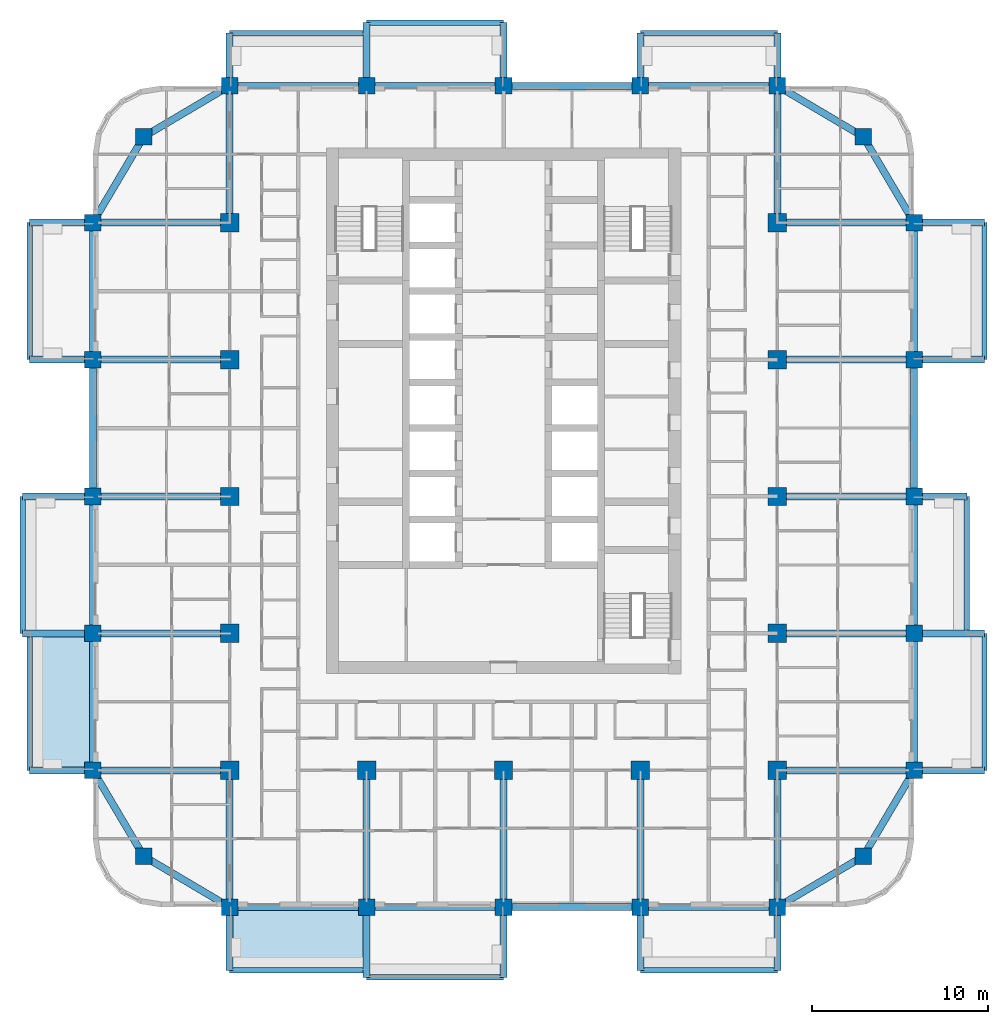
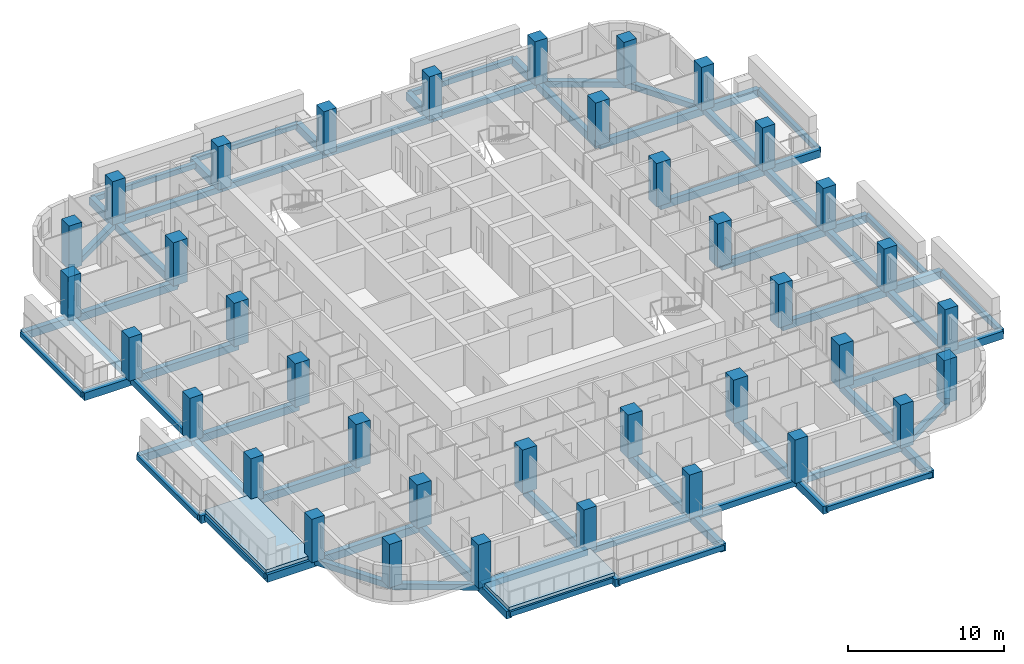
# One storey, part 1 of 18: 73 beams, 37 columns, 2 slabs.
"""IFC4 building model written with IfcOpenShell, lengths in metres."""

from ifc_helpers import new_model, si_unit, direction, frame, origin, origin_2d, place, context, subcontext, project, spatial, polyline, rectangle, outline, extrude, material, layer, layer_set, material_profile, profile_set, type_object, element, save


model = new_model("IFC4")

# Units and contexts
model_context = context("Model", 3, precision=1e-05, world=origin(), true_north=direction((0.0, 1.0)))
body_context = subcontext(model_context, "Body", "Model", "MODEL_VIEW")
ifc_project = project(units=[si_unit("LENGTHUNIT", "METRE"), si_unit("AREAUNIT", "SQUARE_METRE"), si_unit("VOLUMEUNIT", "CUBIC_METRE"), si_unit("PLANEANGLEUNIT", "RADIAN"), si_unit("MASSUNIT", "GRAM", prefix="KILO")], contexts=[model_context])

# Site, building, storey
site_placement = place(None, origin())
site = spatial("IfcSite", under=ifc_project, at=site_placement, CompositionType="ELEMENT")
building_placement = place(site_placement, origin())
building = spatial("IfcBuilding", under=site, at=building_placement, Name="Ludao Terraces", CompositionType="ELEMENT")
storey_placement = place(building_placement, frame((0.0, 0.0, 61.39990234375)))
storey = spatial("IfcBuildingStorey", under=building, at=storey_placement, Name="L16", CompositionType="ELEMENT", Elevation=61.39990234375)

# Columns
ifc_material_1 = material(Name="Concrete C55", Category="concrete")
ifc_material_profile_1 = material_profile(ifc_material_1, rectangle(XDim=1.050048828125, YDim=1.050048828125, at=origin_2d()), Name="1050 X 1050")
ifc_profile_set_1 = profile_set([ifc_material_profile_1], Name="Concrete C55")
column_type_1 = type_object("IfcColumnType", Name="RC column 1050x1050 C55", PredefinedType="COLUMN", material=ifc_profile_set_1)
for number, where, z_axis, x_axis, name in (
    (1, (69.39990234375, 49.39990234375, -0.25), (0.0, 0.0, 1.0), (1.0, 0.0, 0.0), "Column L16 S0078x0078"),
    (2, (69.39990234375, 57.199951171875, -0.25), (0.0, 0.0, 1.0), (1.0, 0.0, 0.0), "Column L16 S0078x0156"),
    (3, (69.39990234375, 65.0, -0.25), (0.0, 0.0, 1.0), (1.0, 0.0, 0.0), "Column L16 S0078x0234"),
    (4, (69.39990234375, 72.800048828125, -0.25), (0.0, 0.0, 1.0), (1.0, 0.0, 0.0), "Column L16 S0078x0312"),
    (5, (69.39990234375, 80.60009765625, -0.25), (0.0, 0.0, 1.0), (1.0, 0.0, 0.0), "Column L16 S0078x0390"),
    (6, (77.199951171875, 49.39990234375, -0.25), (0.0, 0.0, 1.0), (1.0, 0.0, 0.0), "Column L16 S0156x0078"),
    (7, (85.0, 49.39990234375, -0.25), (0.0, 0.0, 1.0), (1.0, 0.0, 0.0), "Column L16 S0234x0078"),
    (8, (92.800048828125, 49.39990234375, -0.25), (0.0, 0.0, 1.0), (1.0, 0.0, 0.0), "Column L16 S0312x0078"),
    (9, (100.60009765625, 49.39990234375, -0.25), (0.0, 0.0, 1.0), (1.0, 0.0, 0.0), "Column L16 S0390x0078"),
    (10, (100.60009765625, 57.199951171875, -0.25), (0.0, 0.0, 1.0), (1.0, 0.0, 0.0), "Column L16 S0390x0156"),
    (11, (100.60009765625, 65.0, -0.25), (0.0, 0.0, 1.0), (1.0, 0.0, 0.0), "Column L16 S0390x0234"),
    (12, (100.60009765625, 72.800048828125, -0.25), (0.0, 0.0, 1.0), (1.0, 0.0, 0.0), "Column L16 S0390x0312"),
    (13, (100.60009765625, 80.60009765625, -0.25), (0.0, 0.0, 1.0), (1.0, 0.0, 0.0), "Column L16 S0390x0390"),
):
    element("IfcColumn", number, at=place(storey_placement, frame(where, z_axis=z_axis, x_axis=x_axis)), inside=storey, type_object=column_type_1, Name=name, PredefinedType="COLUMN", context=body_context, shape_type="SweptSolid", body=[
        extrude(rectangle(XDim=1.050048828125, YDim=1.050048828125, at=origin_2d()), origin(), (0.0, 0.0, 1.0), 3.400146484375),
    ])
ifc_material_profile_2 = material_profile(ifc_material_1, rectangle(XDim=0.949951171875, YDim=0.949951171875, at=origin_2d()), Name="950 X 950")
ifc_profile_set_2 = profile_set([ifc_material_profile_2], Name="Concrete C55")
column_type_2 = type_object("IfcColumnType", Name="RC column 950x950 C55", PredefinedType="COLUMN", material=ifc_profile_set_2)
for number, where, z_axis, x_axis, name in (
    (14, (64.5, 44.5, -0.25), (0.0, 0.0, 1.0), (1.0, 0.0, 0.0), "Column L16 C0029x0029"),
    (15, (105.5, 44.5, -0.25), (0.0, 0.0, 1.0), (1.0, 0.0, 0.0), "Column L16 C0439x0029"),
    (16, (64.5, 85.5, -0.25), (0.0, 0.0, 1.0), (1.0, 0.0, 0.0), "Column L16 C0029x0439"),
    (17, (105.5, 85.5, -0.25), (0.0, 0.0, 1.0), (1.0, 0.0, 0.0), "Column L16 C0439x0439"),
    (18, (61.60009765625, 49.39990234375, -0.25), (0.0, 0.0, 1.0), (1.0, 0.0, 0.0), "Column L16 F0000x0078"),
    (19, (108.39990234375, 49.39990234375, -0.25), (0.0, 0.0, 1.0), (1.0, 0.0, 0.0), "Column L16 F0468x0078"),
    (20, (69.39990234375, 41.60009765625, -0.25), (0.0, 0.0, 1.0), (1.0, 0.0, 0.0), "Column L16 F0078x0000"),
    (21, (69.39990234375, 88.39990234375, -0.25), (0.0, 0.0, 1.0), (1.0, 0.0, 0.0), "Column L16 F0078x0468"),
    (22, (61.60009765625, 57.199951171875, -0.25), (0.0, 0.0, 1.0), (1.0, 0.0, 0.0), "Column L16 F0000x0156"),
    (23, (108.39990234375, 57.199951171875, -0.25), (0.0, 0.0, 1.0), (1.0, 0.0, 0.0), "Column L16 F0468x0156"),
    (24, (77.199951171875, 41.60009765625, -0.25), (0.0, 0.0, 1.0), (1.0, 0.0, 0.0), "Column L16 F0156x0000"),
    (25, (77.199951171875, 88.39990234375, -0.25), (0.0, 0.0, 1.0), (1.0, 0.0, 0.0), "Column L16 F0156x0468"),
    (26, (61.60009765625, 65.0, -0.25), (0.0, 0.0, 1.0), (1.0, 0.0, 0.0), "Column L16 F0000x0234"),
    (27, (108.39990234375, 65.0, -0.25), (0.0, 0.0, 1.0), (1.0, 0.0, 0.0), "Column L16 F0468x0234"),
    (28, (85.0, 41.60009765625, -0.25), (0.0, 0.0, 1.0), (1.0, 0.0, 0.0), "Column L16 F0234x0000"),
    (29, (85.0, 88.39990234375, -0.25), (0.0, 0.0, 1.0), (1.0, 0.0, 0.0), "Column L16 F0234x0468"),
    (30, (61.60009765625, 72.800048828125, -0.25), (0.0, 0.0, 1.0), (1.0, 0.0, 0.0), "Column L16 F0000x0312"),
    (31, (108.39990234375, 72.800048828125, -0.25), (0.0, 0.0, 1.0), (1.0, 0.0, 0.0), "Column L16 F0468x0312"),
    (32, (92.800048828125, 41.60009765625, -0.25), (0.0, 0.0, 1.0), (1.0, 0.0, 0.0), "Column L16 F0312x0000"),
    (33, (92.800048828125, 88.39990234375, -0.25), (0.0, 0.0, 1.0), (1.0, 0.0, 0.0), "Column L16 F0312x0468"),
    (34, (61.60009765625, 80.60009765625, -0.25), (0.0, 0.0, 1.0), (1.0, 0.0, 0.0), "Column L16 F0000x0390"),
    (35, (108.39990234375, 80.60009765625, -0.25), (0.0, 0.0, 1.0), (1.0, 0.0, 0.0), "Column L16 F0468x0390"),
    (36, (100.60009765625, 41.60009765625, -0.25), (0.0, 0.0, 1.0), (1.0, 0.0, 0.0), "Column L16 F0390x0000"),
    (37, (100.60009765625, 88.39990234375, -0.25), (0.0, 0.0, 1.0), (1.0, 0.0, 0.0), "Column L16 F0390x0468"),
):
    element("IfcColumn", number, at=place(storey_placement, frame(where, z_axis=z_axis, x_axis=x_axis)), inside=storey, type_object=column_type_2, Name=name, PredefinedType="COLUMN", context=body_context, shape_type="SweptSolid", body=[
        extrude(rectangle(XDim=0.949951171875, YDim=0.949951171875, at=origin_2d()), origin(), (0.0, 0.0, 1.0), 3.400146484375),
    ])

# Beams
ifc_material_2 = material(Name="Concrete C40", Category="concrete")
ifc_material_profile_3 = material_profile(ifc_material_2, rectangle(XDim=0.300048828125, YDim=0.39990234375, at=origin_2d()), Name="300 X 400")
ifc_profile_set_3 = profile_set([ifc_material_profile_3], Name="Concrete C40")
beam_type_1 = type_object("IfcBeamType", Name="RC beam 300x400 C40", PredefinedType="BEAM", material=ifc_profile_set_3)
for number, where, z_axis, x_axis, name in (
    (38, (69.39990234375, 38.0, -0.449951171875), (1.0, 0.0, 0.0), (0.0, 1.0, 0.0), "Balcony edge beam L16 S1"),
    (39, (77.199951171875, 37.60009765625, -0.449951171875), (1.0, 0.0, 0.0), (0.0, 1.0, 0.0), "Balcony edge beam L16 S2"),
    (40, (92.800048828125, 38.0, -0.449951171875), (1.0, 0.0, 0.0), (0.0, 1.0, 0.0), "Balcony edge beam L16 S4"),
    (41, (112.39990234375, 49.39990234375, -0.449951171875), (0.0, 1.0, 0.0), (-1.0, 0.0, 0.0), "Balcony edge beam L16 E1"),
    (42, (111.39990234375, 57.199951171875, -0.449951171875), (0.0, 1.0, 0.0), (-1.0, 0.0, 0.0), "Balcony edge beam L16 E2"),
    (43, (112.39990234375, 72.800048828125, -0.449951171875), (0.0, 1.0, 0.0), (-1.0, 0.0, 0.0), "Balcony edge beam L16 E4"),
    (44, (69.39990234375, 91.39990234375, -0.449951171875), (1.0, 0.0, 0.0), (0.0, 1.0, 0.0), "Balcony edge beam L16 N1"),
    (45, (77.199951171875, 92.0, -0.449951171875), (1.0, 0.0, 0.0), (0.0, 1.0, 0.0), "Balcony edge beam L16 N2"),
    (46, (92.800048828125, 91.39990234375, -0.449951171875), (1.0, 0.0, 0.0), (0.0, 1.0, 0.0), "Balcony edge beam L16 N4"),
    (47, (58.0, 49.39990234375, -0.449951171875), (0.0, 1.0, 0.0), (-1.0, 0.0, 0.0), "Balcony edge beam L16 W1"),
    (48, (57.60009765625, 57.199951171875, -0.449951171875), (0.0, 1.0, 0.0), (-1.0, 0.0, 0.0), "Balcony edge beam L16 W2"),
    (49, (58.0, 72.800048828125, -0.449951171875), (0.0, 1.0, 0.0), (-1.0, 0.0, 0.0), "Balcony edge beam L16 W4"),
):
    element("IfcBeam", number, at=place(storey_placement, frame(where, z_axis=z_axis, x_axis=x_axis)), inside=storey, type_object=beam_type_1, Name=name, PredefinedType="BEAM", context=body_context, shape_type="SweptSolid", body=[
        extrude(rectangle(XDim=0.300048828125, YDim=0.39990234375, at=origin_2d()), origin(), (0.0, 0.0, 1.0), 7.800048828125),
    ])
ifc_material_profile_4 = material_profile(ifc_material_2, rectangle(XDim=0.39990234375, YDim=0.449951171875, at=origin_2d()), Name="400 X 450")
ifc_profile_set_4 = profile_set([ifc_material_profile_4], Name="Concrete C40")
beam_type_2 = type_object("IfcBeamType", Name="RC beam 400x450 C40", PredefinedType="BEAM", material=ifc_profile_set_4)
beam_1_placement = place(storey_placement, frame((64.5, 44.5, -0.474853515625), z_axis=(0.860579751256, -0.509315709288, 0.0), x_axis=(0.509315709288, 0.860579751256, 0.0)))
element("IfcBeam", 50, at=beam_1_placement, inside=storey, type_object=beam_type_2, Name="Spandrel beam L16 S1", PredefinedType="BEAM", context=body_context, shape_type="SweptSolid", body=[
    extrude(rectangle(XDim=0.39990234375, YDim=0.449951171875, at=origin_2d()), origin(), (0.0, 0.0, 1.0), 5.693603515625),
])
for number, where, z_axis, x_axis, name in (
    (51, (69.39990234375, 41.60009765625, -0.474853515625), (1.0, 0.0, 0.0), (0.0, 1.0, 0.0), "Spandrel beam L16 S2"),
    (52, (77.199951171875, 41.60009765625, -0.474853515625), (1.0, 0.0, 0.0), (0.0, 1.0, 0.0), "Spandrel beam L16 S3"),
    (53, (85.0, 41.60009765625, -0.474853515625), (1.0, 0.0, 0.0), (0.0, 1.0, 0.0), "Spandrel beam L16 S4"),
    (54, (92.800048828125, 41.60009765625, -0.474853515625), (1.0, 0.0, 0.0), (0.0, 1.0, 0.0), "Spandrel beam L16 S5"),
):
    element("IfcBeam", number, at=place(storey_placement, frame(where, z_axis=z_axis, x_axis=x_axis)), inside=storey, type_object=beam_type_2, Name=name, PredefinedType="BEAM", context=body_context, shape_type="SweptSolid", body=[
        extrude(rectangle(XDim=0.39990234375, YDim=0.449951171875, at=origin_2d()), origin(), (0.0, 0.0, 1.0), 7.800048828125),
    ])
for number, where, z_axis, x_axis, name in (
    (55, (100.60009765625, 41.60009765625, -0.474853515625), (0.860579751256, 0.509315709288, 0.0), (-0.509315709288, 0.860579751256, 0.0), "Spandrel beam L16 S6"),
    (56, (64.5, 85.5, -0.474853515625), (0.860579751256, 0.509315709288, 0.0), (-0.509315709288, 0.860579751256, 0.0), "Spandrel beam L16 N7"),
):
    element("IfcBeam", number, at=place(storey_placement, frame(where, z_axis=z_axis, x_axis=x_axis)), inside=storey, type_object=beam_type_2, Name=name, PredefinedType="BEAM", context=body_context, shape_type="SweptSolid", body=[
        extrude(rectangle(XDim=0.39990234375, YDim=0.449951171875, at=origin_2d()), origin(), (0.0, 0.0, 1.0), 5.693603515625),
    ])
for number, where, z_axis, x_axis, name in (
    (57, (69.39990234375, 88.39990234375, -0.474853515625), (1.0, 0.0, 0.0), (0.0, 1.0, 0.0), "Spandrel beam L16 N8"),
    (58, (77.199951171875, 88.39990234375, -0.474853515625), (1.0, 0.0, 0.0), (0.0, 1.0, 0.0), "Spandrel beam L16 N9"),
    (59, (85.0, 88.39990234375, -0.474853515625), (1.0, 0.0, 0.0), (0.0, 1.0, 0.0), "Spandrel beam L16 N10"),
    (60, (92.800048828125, 88.39990234375, -0.474853515625), (1.0, 0.0, 0.0), (0.0, 1.0, 0.0), "Spandrel beam L16 N11"),
):
    element("IfcBeam", number, at=place(storey_placement, frame(where, z_axis=z_axis, x_axis=x_axis)), inside=storey, type_object=beam_type_2, Name=name, PredefinedType="BEAM", context=body_context, shape_type="SweptSolid", body=[
        extrude(rectangle(XDim=0.39990234375, YDim=0.449951171875, at=origin_2d()), origin(), (0.0, 0.0, 1.0), 7.800048828125),
    ])
for number, where, z_axis, x_axis, name in (
    (61, (100.60009765625, 88.39990234375, -0.474853515625), (0.860579751256, -0.509315709288, 0.0), (0.509315709288, 0.860579751256, 0.0), "Spandrel beam L16 N12"),
    (62, (64.5, 44.5, -0.474853515625), (-0.509315709288, 0.860579751256, 0.0), (-0.860579751256, -0.509315709288, 0.0), "Spandrel beam L16 W13"),
):
    element("IfcBeam", number, at=place(storey_placement, frame(where, z_axis=z_axis, x_axis=x_axis)), inside=storey, type_object=beam_type_2, Name=name, PredefinedType="BEAM", context=body_context, shape_type="SweptSolid", body=[
        extrude(rectangle(XDim=0.39990234375, YDim=0.449951171875, at=origin_2d()), origin(), (0.0, 0.0, 1.0), 5.693603515625),
    ])
for number, where, z_axis, x_axis, name in (
    (63, (61.60009765625, 49.39990234375, -0.474853515625), (0.0, 1.0, 0.0), (-1.0, 0.0, 0.0), "Spandrel beam L16 W14"),
    (64, (61.60009765625, 57.199951171875, -0.474853515625), (0.0, 1.0, 0.0), (-1.0, 0.0, 0.0), "Spandrel beam L16 W15"),
    (65, (61.60009765625, 65.0, -0.474853515625), (0.0, 1.0, 0.0), (-1.0, 0.0, 0.0), "Spandrel beam L16 W16"),
    (66, (61.60009765625, 72.800048828125, -0.474853515625), (0.0, 1.0, 0.0), (-1.0, 0.0, 0.0), "Spandrel beam L16 W17"),
):
    element("IfcBeam", number, at=place(storey_placement, frame(where, z_axis=z_axis, x_axis=x_axis)), inside=storey, type_object=beam_type_2, Name=name, PredefinedType="BEAM", context=body_context, shape_type="SweptSolid", body=[
        extrude(rectangle(XDim=0.39990234375, YDim=0.449951171875, at=origin_2d()), origin(), (0.0, 0.0, 1.0), 7.800048828125),
    ])
for number, where, z_axis, x_axis, name in (
    (67, (61.60009765625, 80.60009765625, -0.474853515625), (0.509315709288, 0.860579751256, 0.0), (-0.860579751256, 0.509315709288, 0.0), "Spandrel beam L16 W18"),
    (68, (105.5, 44.5, -0.474853515625), (0.509315709288, 0.860579751256, 0.0), (-0.860579751256, 0.509315709288, 0.0), "Spandrel beam L16 E19"),
):
    element("IfcBeam", number, at=place(storey_placement, frame(where, z_axis=z_axis, x_axis=x_axis)), inside=storey, type_object=beam_type_2, Name=name, PredefinedType="BEAM", context=body_context, shape_type="SweptSolid", body=[
        extrude(rectangle(XDim=0.39990234375, YDim=0.449951171875, at=origin_2d()), origin(), (0.0, 0.0, 1.0), 5.693603515625),
    ])
for number, where, z_axis, x_axis, name in (
    (69, (108.39990234375, 49.39990234375, -0.474853515625), (0.0, 1.0, 0.0), (-1.0, 0.0, 0.0), "Spandrel beam L16 E20"),
    (70, (108.39990234375, 57.199951171875, -0.474853515625), (0.0, 1.0, 0.0), (-1.0, 0.0, 0.0), "Spandrel beam L16 E21"),
    (71, (108.39990234375, 65.0, -0.474853515625), (0.0, 1.0, 0.0), (-1.0, 0.0, 0.0), "Spandrel beam L16 E22"),
    (72, (108.39990234375, 72.800048828125, -0.474853515625), (0.0, 1.0, 0.0), (-1.0, 0.0, 0.0), "Spandrel beam L16 E23"),
):
    element("IfcBeam", number, at=place(storey_placement, frame(where, z_axis=z_axis, x_axis=x_axis)), inside=storey, type_object=beam_type_2, Name=name, PredefinedType="BEAM", context=body_context, shape_type="SweptSolid", body=[
        extrude(rectangle(XDim=0.39990234375, YDim=0.449951171875, at=origin_2d()), origin(), (0.0, 0.0, 1.0), 7.800048828125),
    ])
beam_2_placement = place(storey_placement, frame((108.39990234375, 80.60009765625, -0.474853515625), z_axis=(-0.509315709288, 0.860579751256, 0.0), x_axis=(-0.860579751256, -0.509315709288, 0.0)))
element("IfcBeam", 73, at=beam_2_placement, inside=storey, type_object=beam_type_2, Name="Spandrel beam L16 E24", PredefinedType="BEAM", context=body_context, shape_type="SweptSolid", body=[
    extrude(rectangle(XDim=0.39990234375, YDim=0.449951171875, at=origin_2d()), origin(), (0.0, 0.0, 1.0), 5.693603515625),
])
ifc_material_profile_5 = material_profile(ifc_material_2, rectangle(XDim=0.39990234375, YDim=0.60009765625, at=origin_2d()), Name="400 X 600")
ifc_profile_set_5 = profile_set([ifc_material_profile_5], Name="Concrete C40")
beam_type_3 = type_object("IfcBeamType", Name="RC beam 400x600 C40", PredefinedType="BEAM", material=ifc_profile_set_5)
beam_3_placement = place(storey_placement, frame((100.60009765625, 49.39990234375, -0.5498046875), z_axis=(1.0, 0.0, 0.0), x_axis=(0.0, 1.0, 0.0)))
element("IfcBeam", 74, at=beam_3_placement, inside=storey, type_object=beam_type_3, Name="Balcony beam L16 E494", PredefinedType="BEAM", context=body_context, shape_type="SweptSolid", body=[
    extrude(rectangle(XDim=0.39990234375, YDim=0.60009765625, at=origin_2d()), origin(), (0.0, 0.0, 1.0), 7.7998046875),
])
beam_4_placement = place(storey_placement, frame((108.39990234375, 49.39990234375, -0.5498046875), z_axis=(1.0, 0.0, 0.0), x_axis=(0.0, 1.0, 0.0)))
element("IfcBeam", 75, at=beam_4_placement, inside=storey, type_object=beam_type_3, Name="Balcony beam L16 E494", PredefinedType="BEAM", context=body_context, shape_type="SweptSolid", body=[
    extrude(rectangle(XDim=0.39990234375, YDim=0.60009765625, at=origin_2d()), origin(), (0.0, 0.0, 1.0), 4.0),
])
beam_5_placement = place(storey_placement, frame((100.60009765625, 57.199951171875, -0.5498046875), z_axis=(1.0, 0.0, 0.0), x_axis=(0.0, 1.0, 0.0)))
element("IfcBeam", 76, at=beam_5_placement, inside=storey, type_object=beam_type_3, Name="Balcony beam L16 E572", PredefinedType="BEAM", context=body_context, shape_type="SweptSolid", body=[
    extrude(rectangle(XDim=0.39990234375, YDim=0.60009765625, at=origin_2d()), origin(), (0.0, 0.0, 1.0), 7.7998046875),
])
beam_6_placement = place(storey_placement, frame((108.39990234375, 57.199951171875, -0.5498046875), z_axis=(1.0, 0.0, 0.0), x_axis=(0.0, 1.0, 0.0)))
element("IfcBeam", 77, at=beam_6_placement, inside=storey, type_object=beam_type_3, Name="Balcony beam L16 E572", PredefinedType="BEAM", context=body_context, shape_type="SweptSolid", body=[
    extrude(rectangle(XDim=0.39990234375, YDim=0.60009765625, at=origin_2d()), origin(), (0.0, 0.0, 1.0), 4.0),
])
beam_7_placement = place(storey_placement, frame((100.60009765625, 65.0, -0.5498046875), z_axis=(1.0, 0.0, 0.0), x_axis=(0.0, 1.0, 0.0)))
element("IfcBeam", 78, at=beam_7_placement, inside=storey, type_object=beam_type_3, Name="Balcony beam L16 E650", PredefinedType="BEAM", context=body_context, shape_type="SweptSolid", body=[
    extrude(rectangle(XDim=0.39990234375, YDim=0.60009765625, at=origin_2d()), origin(), (0.0, 0.0, 1.0), 7.7998046875),
])
beam_8_placement = place(storey_placement, frame((108.39990234375, 65.0, -0.5498046875), z_axis=(1.0, 0.0, 0.0), x_axis=(0.0, 1.0, 0.0)))
element("IfcBeam", 79, at=beam_8_placement, inside=storey, type_object=beam_type_3, Name="Balcony beam L16 E650", PredefinedType="BEAM", context=body_context, shape_type="SweptSolid", body=[
    extrude(rectangle(XDim=0.39990234375, YDim=0.60009765625, at=origin_2d()), origin(), (0.0, 0.0, 1.0), 3.0),
])
beam_9_placement = place(storey_placement, frame((100.60009765625, 72.800048828125, -0.5498046875), z_axis=(1.0, 0.0, 0.0), x_axis=(0.0, 1.0, 0.0)))
element("IfcBeam", 80, at=beam_9_placement, inside=storey, type_object=beam_type_3, Name="Balcony beam L16 E728", PredefinedType="BEAM", context=body_context, shape_type="SweptSolid", body=[
    extrude(rectangle(XDim=0.39990234375, YDim=0.60009765625, at=origin_2d()), origin(), (0.0, 0.0, 1.0), 7.7998046875),
])
beam_10_placement = place(storey_placement, frame((108.39990234375, 72.800048828125, -0.5498046875), z_axis=(1.0, 0.0, 0.0), x_axis=(0.0, 1.0, 0.0)))
element("IfcBeam", 81, at=beam_10_placement, inside=storey, type_object=beam_type_3, Name="Balcony beam L16 E728", PredefinedType="BEAM", context=body_context, shape_type="SweptSolid", body=[
    extrude(rectangle(XDim=0.39990234375, YDim=0.60009765625, at=origin_2d()), origin(), (0.0, 0.0, 1.0), 4.0),
])
beam_11_placement = place(storey_placement, frame((100.60009765625, 80.60009765625, -0.5498046875), z_axis=(1.0, 0.0, 0.0), x_axis=(0.0, 1.0, 0.0)))
element("IfcBeam", 82, at=beam_11_placement, inside=storey, type_object=beam_type_3, Name="Balcony beam L16 E806", PredefinedType="BEAM", context=body_context, shape_type="SweptSolid", body=[
    extrude(rectangle(XDim=0.39990234375, YDim=0.60009765625, at=origin_2d()), origin(), (0.0, 0.0, 1.0), 7.7998046875),
])
beam_12_placement = place(storey_placement, frame((108.39990234375, 80.60009765625, -0.5498046875), z_axis=(1.0, 0.0, 0.0), x_axis=(0.0, 1.0, 0.0)))
element("IfcBeam", 83, at=beam_12_placement, inside=storey, type_object=beam_type_3, Name="Balcony beam L16 E806", PredefinedType="BEAM", context=body_context, shape_type="SweptSolid", body=[
    extrude(rectangle(XDim=0.39990234375, YDim=0.60009765625, at=origin_2d()), origin(), (0.0, 0.0, 1.0), 4.0),
])
beam_13_placement = place(storey_placement, frame((100.60009765625, 80.60009765625, -0.5498046875), z_axis=(0.0, 1.0, 0.0), x_axis=(-1.0, 0.0, 0.0)))
element("IfcBeam", 84, at=beam_13_placement, inside=storey, type_object=beam_type_3, Name="Balcony beam L16 N1006", PredefinedType="BEAM", context=body_context, shape_type="SweptSolid", body=[
    extrude(rectangle(XDim=0.39990234375, YDim=0.60009765625, at=origin_2d()), origin(), (0.0, 0.0, 1.0), 7.7998046875),
])
beam_14_placement = place(storey_placement, frame((100.60009765625, 88.39990234375, -0.5498046875), z_axis=(0.0, 1.0, 0.0), x_axis=(-1.0, 0.0, 0.0)))
element("IfcBeam", 85, at=beam_14_placement, inside=storey, type_object=beam_type_3, Name="Balcony beam L16 N1006", PredefinedType="BEAM", context=body_context, shape_type="SweptSolid", body=[
    extrude(rectangle(XDim=0.39990234375, YDim=0.60009765625, at=origin_2d()), origin(), (0.0, 0.0, 1.0), 3.0),
])
beam_15_placement = place(storey_placement, frame((69.39990234375, 80.60009765625, -0.5498046875), z_axis=(0.0, 1.0, 0.0), x_axis=(-1.0, 0.0, 0.0)))
element("IfcBeam", 86, at=beam_15_placement, inside=storey, type_object=beam_type_3, Name="Balcony beam L16 N694", PredefinedType="BEAM", context=body_context, shape_type="SweptSolid", body=[
    extrude(rectangle(XDim=0.39990234375, YDim=0.60009765625, at=origin_2d()), origin(), (0.0, 0.0, 1.0), 7.7998046875),
])
beam_16_placement = place(storey_placement, frame((69.39990234375, 88.39990234375, -0.5498046875), z_axis=(0.0, 1.0, 0.0), x_axis=(-1.0, 0.0, 0.0)))
element("IfcBeam", 87, at=beam_16_placement, inside=storey, type_object=beam_type_3, Name="Balcony beam L16 N694", PredefinedType="BEAM", context=body_context, shape_type="SweptSolid", body=[
    extrude(rectangle(XDim=0.39990234375, YDim=0.60009765625, at=origin_2d()), origin(), (0.0, 0.0, 1.0), 3.0),
])
for number, where, z_axis, x_axis, name in (
    (88, (77.199951171875, 88.39990234375, -0.5498046875), (0.0, 1.0, 0.0), (-1.0, 0.0, 0.0), "Balcony beam L16 N772"),
    (89, (85.0, 88.39990234375, -0.5498046875), (0.0, 1.0, 0.0), (-1.0, 0.0, 0.0), "Balcony beam L16 N850"),
):
    element("IfcBeam", number, at=place(storey_placement, frame(where, z_axis=z_axis, x_axis=x_axis)), inside=storey, type_object=beam_type_3, Name=name, PredefinedType="BEAM", context=body_context, shape_type="SweptSolid", body=[
        extrude(rectangle(XDim=0.39990234375, YDim=0.60009765625, at=origin_2d()), origin(), (0.0, 0.0, 1.0), 3.60009765625),
    ])
beam_17_placement = place(storey_placement, frame((92.800048828125, 88.39990234375, -0.5498046875), z_axis=(0.0, 1.0, 0.0), x_axis=(-1.0, 0.0, 0.0)))
element("IfcBeam", 90, at=beam_17_placement, inside=storey, type_object=beam_type_3, Name="Balcony beam L16 N928", PredefinedType="BEAM", context=body_context, shape_type="SweptSolid", body=[
    extrude(rectangle(XDim=0.39990234375, YDim=0.60009765625, at=origin_2d()), origin(), (0.0, 0.0, 1.0), 3.0),
])
beam_18_placement = place(storey_placement, frame((100.60009765625, 49.39990234375, -0.5498046875), z_axis=(0.0, -1.0, 0.0), x_axis=(1.0, 0.0, 0.0)))
element("IfcBeam", 91, at=beam_18_placement, inside=storey, type_object=beam_type_3, Name="Balcony beam L16 S1006", PredefinedType="BEAM", context=body_context, shape_type="SweptSolid", body=[
    extrude(rectangle(XDim=0.39990234375, YDim=0.60009765625, at=origin_2d()), origin(), (0.0, 0.0, 1.0), 7.7998046875),
])
beam_19_placement = place(storey_placement, frame((100.60009765625, 41.60009765625, -0.5498046875), z_axis=(0.0, -1.0, 0.0), x_axis=(1.0, 0.0, 0.0)))
element("IfcBeam", 92, at=beam_19_placement, inside=storey, type_object=beam_type_3, Name="Balcony beam L16 S1006", PredefinedType="BEAM", context=body_context, shape_type="SweptSolid", body=[
    extrude(rectangle(XDim=0.39990234375, YDim=0.60009765625, at=origin_2d()), origin(), (0.0, 0.0, 1.0), 3.60009765625),
])
beam_20_placement = place(storey_placement, frame((69.39990234375, 49.39990234375, -0.5498046875), z_axis=(0.0, -1.0, 0.0), x_axis=(1.0, 0.0, 0.0)))
element("IfcBeam", 93, at=beam_20_placement, inside=storey, type_object=beam_type_3, Name="Balcony beam L16 S694", PredefinedType="BEAM", context=body_context, shape_type="SweptSolid", body=[
    extrude(rectangle(XDim=0.39990234375, YDim=0.60009765625, at=origin_2d()), origin(), (0.0, 0.0, 1.0), 7.7998046875),
])
beam_21_placement = place(storey_placement, frame((69.39990234375, 41.60009765625, -0.5498046875), z_axis=(0.0, -1.0, 0.0), x_axis=(1.0, 0.0, 0.0)))
element("IfcBeam", 94, at=beam_21_placement, inside=storey, type_object=beam_type_3, Name="Balcony beam L16 S694", PredefinedType="BEAM", context=body_context, shape_type="SweptSolid", body=[
    extrude(rectangle(XDim=0.39990234375, YDim=0.60009765625, at=origin_2d()), origin(), (0.0, 0.0, 1.0), 3.60009765625),
])
beam_22_placement = place(storey_placement, frame((77.199951171875, 49.39990234375, -0.5498046875), z_axis=(0.0, -1.0, 0.0), x_axis=(1.0, 0.0, 0.0)))
element("IfcBeam", 95, at=beam_22_placement, inside=storey, type_object=beam_type_3, Name="Balcony beam L16 S772", PredefinedType="BEAM", context=body_context, shape_type="SweptSolid", body=[
    extrude(rectangle(XDim=0.39990234375, YDim=0.60009765625, at=origin_2d()), origin(), (0.0, 0.0, 1.0), 7.7998046875),
])
beam_23_placement = place(storey_placement, frame((77.199951171875, 41.60009765625, -0.5498046875), z_axis=(0.0, -1.0, 0.0), x_axis=(1.0, 0.0, 0.0)))
element("IfcBeam", 96, at=beam_23_placement, inside=storey, type_object=beam_type_3, Name="Balcony beam L16 S772", PredefinedType="BEAM", context=body_context, shape_type="SweptSolid", body=[
    extrude(rectangle(XDim=0.39990234375, YDim=0.60009765625, at=origin_2d()), origin(), (0.0, 0.0, 1.0), 4.0),
])
beam_24_placement = place(storey_placement, frame((85.0, 49.39990234375, -0.5498046875), z_axis=(0.0, -1.0, 0.0), x_axis=(1.0, 0.0, 0.0)))
element("IfcBeam", 97, at=beam_24_placement, inside=storey, type_object=beam_type_3, Name="Balcony beam L16 S850", PredefinedType="BEAM", context=body_context, shape_type="SweptSolid", body=[
    extrude(rectangle(XDim=0.39990234375, YDim=0.60009765625, at=origin_2d()), origin(), (0.0, 0.0, 1.0), 7.7998046875),
])
beam_25_placement = place(storey_placement, frame((85.0, 41.60009765625, -0.5498046875), z_axis=(0.0, -1.0, 0.0), x_axis=(1.0, 0.0, 0.0)))
element("IfcBeam", 98, at=beam_25_placement, inside=storey, type_object=beam_type_3, Name="Balcony beam L16 S850", PredefinedType="BEAM", context=body_context, shape_type="SweptSolid", body=[
    extrude(rectangle(XDim=0.39990234375, YDim=0.60009765625, at=origin_2d()), origin(), (0.0, 0.0, 1.0), 4.0),
])
beam_26_placement = place(storey_placement, frame((92.800048828125, 49.39990234375, -0.5498046875), z_axis=(0.0, -1.0, 0.0), x_axis=(1.0, 0.0, 0.0)))
element("IfcBeam", 99, at=beam_26_placement, inside=storey, type_object=beam_type_3, Name="Balcony beam L16 S928", PredefinedType="BEAM", context=body_context, shape_type="SweptSolid", body=[
    extrude(rectangle(XDim=0.39990234375, YDim=0.60009765625, at=origin_2d()), origin(), (0.0, 0.0, 1.0), 7.7998046875),
])
beam_27_placement = place(storey_placement, frame((92.800048828125, 41.60009765625, -0.5498046875), z_axis=(0.0, -1.0, 0.0), x_axis=(1.0, 0.0, 0.0)))
element("IfcBeam", 100, at=beam_27_placement, inside=storey, type_object=beam_type_3, Name="Balcony beam L16 S928", PredefinedType="BEAM", context=body_context, shape_type="SweptSolid", body=[
    extrude(rectangle(XDim=0.39990234375, YDim=0.60009765625, at=origin_2d()), origin(), (0.0, 0.0, 1.0), 3.60009765625),
])
beam_28_placement = place(storey_placement, frame((69.39990234375, 49.39990234375, -0.5498046875), z_axis=(-1.0, 0.0, 0.0), x_axis=(0.0, -1.0, 0.0)))
element("IfcBeam", 101, at=beam_28_placement, inside=storey, type_object=beam_type_3, Name="Balcony beam L16 W494", PredefinedType="BEAM", context=body_context, shape_type="SweptSolid", body=[
    extrude(rectangle(XDim=0.39990234375, YDim=0.60009765625, at=origin_2d()), origin(), (0.0, 0.0, 1.0), 7.7998046875),
])
beam_29_placement = place(storey_placement, frame((61.60009765625, 49.39990234375, -0.5498046875), z_axis=(-1.0, 0.0, 0.0), x_axis=(0.0, -1.0, 0.0)))
element("IfcBeam", 102, at=beam_29_placement, inside=storey, type_object=beam_type_3, Name="Balcony beam L16 W494", PredefinedType="BEAM", context=body_context, shape_type="SweptSolid", body=[
    extrude(rectangle(XDim=0.39990234375, YDim=0.60009765625, at=origin_2d()), origin(), (0.0, 0.0, 1.0), 3.60009765625),
])
beam_30_placement = place(storey_placement, frame((69.39990234375, 57.199951171875, -0.5498046875), z_axis=(-1.0, 0.0, 0.0), x_axis=(0.0, -1.0, 0.0)))
element("IfcBeam", 103, at=beam_30_placement, inside=storey, type_object=beam_type_3, Name="Balcony beam L16 W572", PredefinedType="BEAM", context=body_context, shape_type="SweptSolid", body=[
    extrude(rectangle(XDim=0.39990234375, YDim=0.60009765625, at=origin_2d()), origin(), (0.0, 0.0, 1.0), 7.7998046875),
])
beam_31_placement = place(storey_placement, frame((61.60009765625, 57.199951171875, -0.5498046875), z_axis=(-1.0, 0.0, 0.0), x_axis=(0.0, -1.0, 0.0)))
element("IfcBeam", 104, at=beam_31_placement, inside=storey, type_object=beam_type_3, Name="Balcony beam L16 W572", PredefinedType="BEAM", context=body_context, shape_type="SweptSolid", body=[
    extrude(rectangle(XDim=0.39990234375, YDim=0.60009765625, at=origin_2d()), origin(), (0.0, 0.0, 1.0), 4.0),
])
beam_32_placement = place(storey_placement, frame((69.39990234375, 65.0, -0.5498046875), z_axis=(-1.0, 0.0, 0.0), x_axis=(0.0, -1.0, 0.0)))
element("IfcBeam", 105, at=beam_32_placement, inside=storey, type_object=beam_type_3, Name="Balcony beam L16 W650", PredefinedType="BEAM", context=body_context, shape_type="SweptSolid", body=[
    extrude(rectangle(XDim=0.39990234375, YDim=0.60009765625, at=origin_2d()), origin(), (0.0, 0.0, 1.0), 7.7998046875),
])
beam_33_placement = place(storey_placement, frame((61.60009765625, 65.0, -0.5498046875), z_axis=(-1.0, 0.0, 0.0), x_axis=(0.0, -1.0, 0.0)))
element("IfcBeam", 106, at=beam_33_placement, inside=storey, type_object=beam_type_3, Name="Balcony beam L16 W650", PredefinedType="BEAM", context=body_context, shape_type="SweptSolid", body=[
    extrude(rectangle(XDim=0.39990234375, YDim=0.60009765625, at=origin_2d()), origin(), (0.0, 0.0, 1.0), 4.0),
])
beam_34_placement = place(storey_placement, frame((69.39990234375, 72.800048828125, -0.5498046875), z_axis=(-1.0, 0.0, 0.0), x_axis=(0.0, -1.0, 0.0)))
element("IfcBeam", 107, at=beam_34_placement, inside=storey, type_object=beam_type_3, Name="Balcony beam L16 W728", PredefinedType="BEAM", context=body_context, shape_type="SweptSolid", body=[
    extrude(rectangle(XDim=0.39990234375, YDim=0.60009765625, at=origin_2d()), origin(), (0.0, 0.0, 1.0), 7.7998046875),
])
beam_35_placement = place(storey_placement, frame((61.60009765625, 72.800048828125, -0.5498046875), z_axis=(-1.0, 0.0, 0.0), x_axis=(0.0, -1.0, 0.0)))
element("IfcBeam", 108, at=beam_35_placement, inside=storey, type_object=beam_type_3, Name="Balcony beam L16 W728", PredefinedType="BEAM", context=body_context, shape_type="SweptSolid", body=[
    extrude(rectangle(XDim=0.39990234375, YDim=0.60009765625, at=origin_2d()), origin(), (0.0, 0.0, 1.0), 3.60009765625),
])
beam_36_placement = place(storey_placement, frame((69.39990234375, 80.60009765625, -0.5498046875), z_axis=(-1.0, 0.0, 0.0), x_axis=(0.0, -1.0, 0.0)))
element("IfcBeam", 109, at=beam_36_placement, inside=storey, type_object=beam_type_3, Name="Balcony beam L16 W806", PredefinedType="BEAM", context=body_context, shape_type="SweptSolid", body=[
    extrude(rectangle(XDim=0.39990234375, YDim=0.60009765625, at=origin_2d()), origin(), (0.0, 0.0, 1.0), 7.7998046875),
])
beam_37_placement = place(storey_placement, frame((61.60009765625, 80.60009765625, -0.5498046875), z_axis=(-1.0, 0.0, 0.0), x_axis=(0.0, -1.0, 0.0)))
element("IfcBeam", 110, at=beam_37_placement, inside=storey, type_object=beam_type_3, Name="Balcony beam L16 W806", PredefinedType="BEAM", context=body_context, shape_type="SweptSolid", body=[
    extrude(rectangle(XDim=0.39990234375, YDim=0.60009765625, at=origin_2d()), origin(), (0.0, 0.0, 1.0), 3.60009765625),
])

# Slabs
ifc_layer = layer(ifc_material_2, 0.25)
ifc_layer_set = layer_set([ifc_layer], Name="Balcony slab 250 C40")
slab_type = type_object("IfcSlabType", Name="Balcony slab 250 C40", PredefinedType="USERDEFINED", material=ifc_layer_set)
slab_1_placement = place(storey_placement, frame((0.0, 0.0, -0.25)))
element("IfcSlab", 111, at=slab_1_placement, inside=storey, type_object=slab_type, Name="Balcony L16 S1", ObjectType="BALCONY", PredefinedType="USERDEFINED", context=body_context, shape_type="SweptSolid", body=[
    extrude(outline(polyline([(69.39990234375, 38.0), (77.199951171875, 38.0), (77.199951171875, 41.60009765625), (69.39990234375, 41.60009765625), (69.39990234375, 38.0)])), origin(), (0.0, 0.0, 1.0), 0.25),
])
slab_2_placement = place(storey_placement, frame((0.0, 0.0, -0.25)))
element("IfcSlab", 112, at=slab_2_placement, inside=storey, type_object=slab_type, Name="Balcony L16 W1", ObjectType="BALCONY", PredefinedType="USERDEFINED", context=body_context, shape_type="SweptSolid", body=[
    extrude(outline(polyline([(58.0, 49.39990234375), (61.60009765625, 49.39990234375), (61.60009765625, 57.199951171875), (58.0, 57.199951171875), (58.0, 49.39990234375)])), origin(), (0.0, 0.0, 1.0), 0.25),
])

save(model, "model.ifc")
